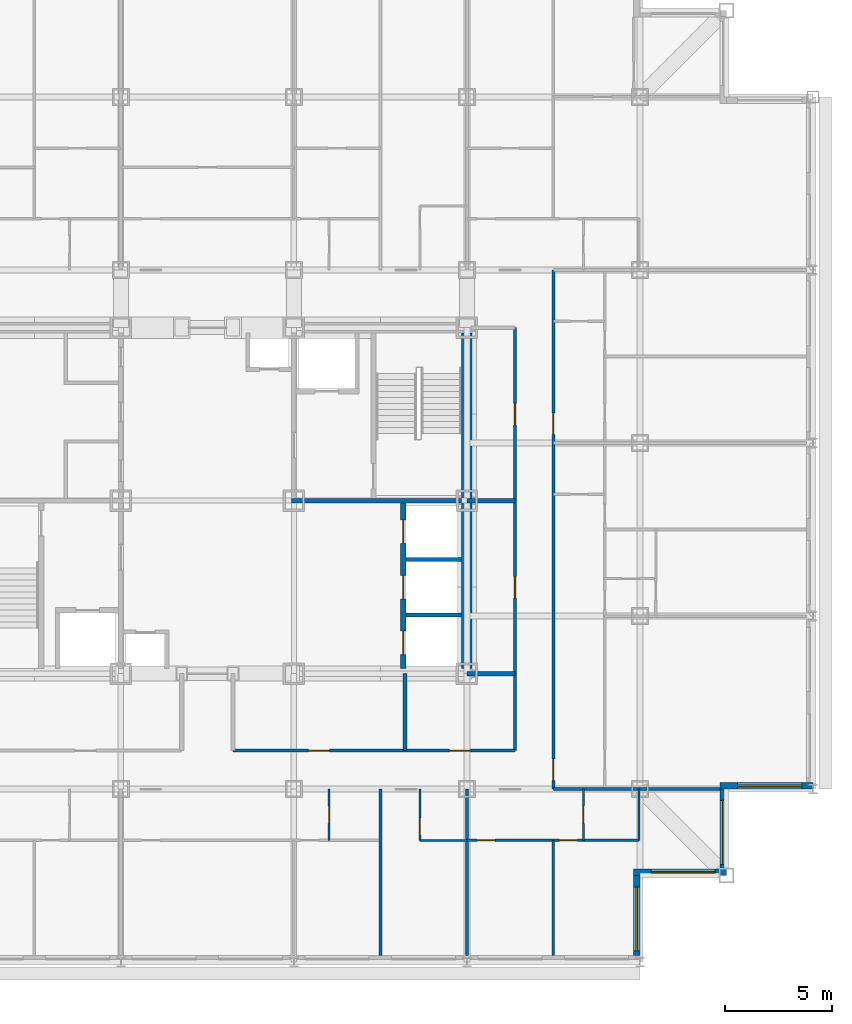
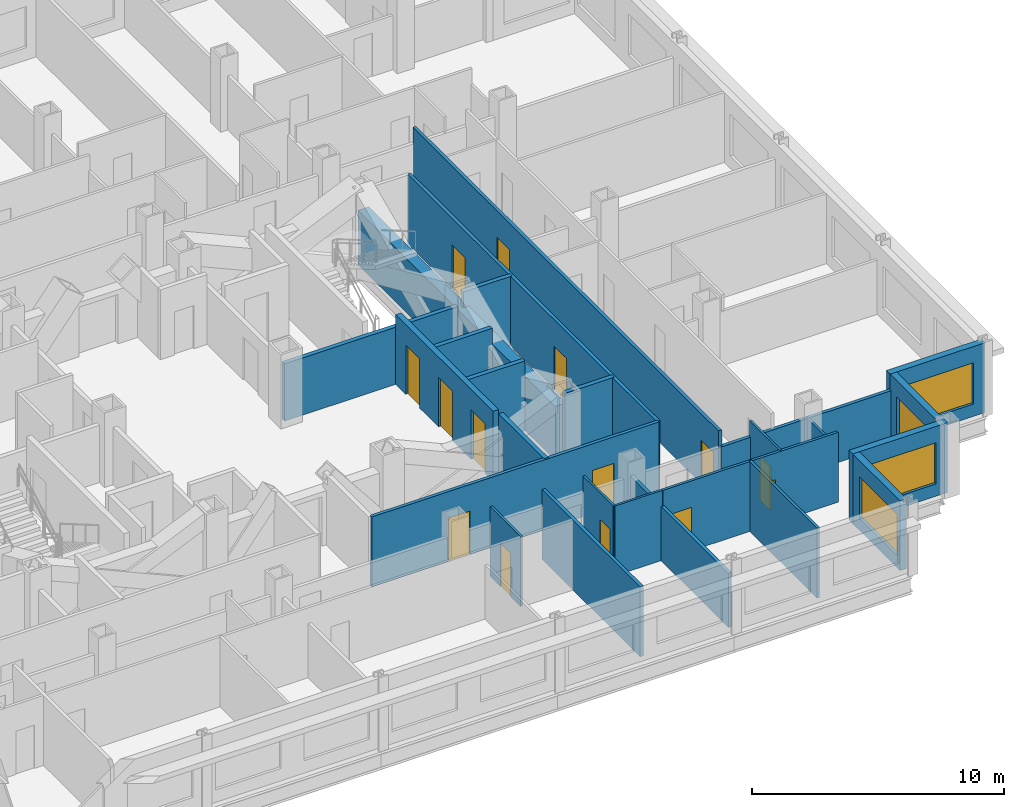
# One storey, part 7 of 12: 25 walls, 14 doors, 4 windows, 18 openings.
"""IFC4 building model written with IfcOpenShell, lengths in metres."""

from ifc_helpers import new_model, si_unit, direction, frame, frame_2d, origin, place, context, subcontext, project, spatial, rectangle, extrude, material, layer, layer_set, type_object, element, fill, save


model = new_model("IFC4")

# Units and contexts
model_context = context("Model", 3, precision=1e-05, world=origin(), true_north=direction((0.0, 1.0)))
body_context = subcontext(model_context, "Body", "Model", "MODEL_VIEW")
ifc_project = project(units=[si_unit("LENGTHUNIT", "METRE"), si_unit("AREAUNIT", "SQUARE_METRE"), si_unit("VOLUMEUNIT", "CUBIC_METRE"), si_unit("PLANEANGLEUNIT", "RADIAN"), si_unit("MASSUNIT", "GRAM", prefix="KILO")], contexts=[model_context])

# Site, building, storey
site_placement = place(None, origin())
site = spatial("IfcSite", under=ifc_project, at=site_placement, CompositionType="ELEMENT")
building_placement = place(site_placement, origin())
building = spatial("IfcBuilding", under=site, at=building_placement, Name="Kopane Lantern Tower", CompositionType="ELEMENT")
storey_placement = place(building_placement, frame((0.0, 0.0, 228.0)))
storey = spatial("IfcBuildingStorey", under=building, at=storey_placement, Name="L59", CompositionType="ELEMENT", Elevation=228.0)

# Wall, openings, doors
ifc_material_1 = material(Name="Gypsum board on steel studs", Category="steel")
ifc_layer_1 = layer(ifc_material_1, 0.1201171875)
ifc_layer_set_1 = layer_set([ifc_layer_1], Name="APARTMENT INTERNAL WALL 120")
wall_type_1 = type_object("IfcWallType", Name="APARTMENT INTERNAL WALL 120", PredefinedType="PARTITIONING", material=ifc_layer_set_1)
wall_1_placement = place(storey_placement, frame((40.5, 16.5, 0.0), z_axis=(0.0, 0.0, 1.0), x_axis=(1.0, 0.0, 0.0)))
wall_1 = element("IfcWall", 1, at=wall_1_placement, inside=storey, type_object=wall_type_1, Name="Apartment Internal Wall 120 L59", PredefinedType="PARTITIONING", context=body_context, shape_type="SweptSolid", body=[
    extrude(rectangle(XDim=8.050048828125, YDim=0.1201171875, at=frame_2d((4.02490234375, 0.0))), origin(), (0.0, 0.0, 1.0), 3.389892578125),
])
opening_1_placement = place(wall_1_placement, frame((0.47509765625, 0.0, 0.0)))
opening_1 = element("IfcOpeningElement", 2, at=opening_1_placement, cuts=wall_1, Name="Opening L59-055", PredefinedType="OPENING", context=body_context, shape_type="SweptSolid", body=[
    extrude(rectangle(XDim=0.85009765625, YDim=2.10009765625, at=frame_2d((0.425048828125, 1.050048828125))), frame((0.0, 0.070068359375, 0.0), z_axis=(0.0, -1.0, 0.0), x_axis=(1.0, 0.0, 0.0)), (0.0, 0.0, 1.0), 0.14013671875),
])
opening_2_placement = place(wall_1_placement, frame((4.324951171875, 0.0, 0.0)))
opening_2 = element("IfcOpeningElement", 3, at=opening_2_placement, cuts=wall_1, Name="Opening L59-057", PredefinedType="OPENING", context=body_context, shape_type="SweptSolid", body=[
    extrude(rectangle(XDim=0.85009765625, YDim=2.10009765625, at=frame_2d((0.425048828125, 1.050048828125))), frame((0.0, 0.070068359375, 0.0), z_axis=(0.0, -1.0, 0.0), x_axis=(1.0, 0.0, 0.0)), (0.0, 0.0, 1.0), 0.14013671875),
])
ifc_material_2 = material(Name="Timber door set", Category="wood")
door_type_1 = type_object("IfcDoorType", Name="DOOR D4 850x2100", OperationType="SINGLE_SWING_LEFT", PredefinedType="DOOR", material=ifc_material_2)
door_1_placement = place(opening_1_placement, origin())
door_1 = element("IfcDoor", 4, at=door_1_placement, inside=storey, type_object=door_type_1, Name="Door L59-055", OperationType="SINGLE_SWING_LEFT", OverallHeight=2.10009765625, OverallWidth=0.85009765625, PredefinedType="DOOR", context=body_context, shape_type="SweptSolid", body=[
    extrude(rectangle(XDim=0.85009765625, YDim=2.10009765625, at=frame_2d((0.425048828125, 1.050048828125))), frame((0.0, 0.02490234375, 0.0), z_axis=(0.0, -1.0, 0.0), x_axis=(1.0, 0.0, 0.0)), (0.0, 0.0, 1.0), 0.050048828125),
])
fill(opening_1, door_1)
door_2_placement = place(opening_2_placement, origin())
door_2 = element("IfcDoor", 5, at=door_2_placement, inside=storey, type_object=door_type_1, Name="Door L59-057", OperationType="SINGLE_SWING_RIGHT", OverallHeight=2.10009765625, OverallWidth=0.85009765625, PredefinedType="DOOR", context=body_context, shape_type="SweptSolid", body=[
    extrude(rectangle(XDim=0.85009765625, YDim=2.10009765625, at=frame_2d((0.425048828125, 1.050048828125))), frame((0.0, 0.02490234375, 0.0), z_axis=(0.0, -1.0, 0.0), x_axis=(1.0, 0.0, 0.0)), (0.0, 0.0, 1.0), 0.050048828125),
])
fill(opening_2, door_2)

# Wall
wall_2_placement = place(storey_placement, frame((44.550048828125, 16.5, 0.0), z_axis=(0.0, 0.0, 1.0), x_axis=(0.0, -1.0, 0.0)))
element("IfcWall", 6, at=wall_2_placement, inside=storey, type_object=wall_type_1, Name="Apartment Internal Wall 120 L59", PredefinedType="PARTITIONING", context=body_context, shape_type="SweptSolid", body=[
    extrude(rectangle(XDim=5.39990234375, YDim=0.1201171875, at=frame_2d((2.699951171875, 0.0))), origin(), (0.0, 0.0, 1.0), 3.389892578125),
])

# Wall, opening, door
ifc_material_3 = material(Name="Moisture-resistant board on steel studs", Category="steel")
ifc_layer_2 = layer(ifc_material_3, 0.10009765625)
ifc_layer_set_2 = layer_set([ifc_layer_2], Name="BATHROOM WALL 100")
wall_type_2 = type_object("IfcWallType", Name="BATHROOM WALL 100", PredefinedType="PARTITIONING", material=ifc_layer_set_2)
wall_3_placement = place(storey_placement, frame((34.050048828125, 18.89990234375, 0.0), z_axis=(0.0, 0.0, 1.0), x_axis=(0.0, -1.0, 0.0)))
wall_3 = element("IfcWall", 7, at=wall_3_placement, inside=storey, type_object=wall_type_2, Name="Bathroom Wall 100 L59", PredefinedType="PARTITIONING", context=body_context, shape_type="SweptSolid", body=[
    extrude(rectangle(XDim=2.39990234375, YDim=0.10009765625, at=frame_2d((1.199951171875, 0.0))), origin(), (0.0, 0.0, 1.0), 3.389892578125),
])
opening_3_placement = place(wall_3_placement, frame((0.800048828125, 0.0, 0.0)))
opening_3 = element("IfcOpeningElement", 8, at=opening_3_placement, cuts=wall_3, Name="Opening L59-016", PredefinedType="OPENING", context=body_context, shape_type="SweptSolid", body=[
    extrude(rectangle(XDim=0.800048828125, YDim=2.10009765625, at=frame_2d((0.39990234375, 1.050048828125))), frame((0.0, 0.06005859375, 0.0), z_axis=(0.0, -1.0, 0.0), x_axis=(1.0, 0.0, 0.0)), (0.0, 0.0, 1.0), 0.1201171875),
])
ifc_material_4 = material(Name="Timber door set", Category="wood")
door_type_2 = type_object("IfcDoorType", Name="DOOR D2 800x2100", OperationType="SINGLE_SWING_LEFT", PredefinedType="DOOR", material=ifc_material_4)
door_3_placement = place(opening_3_placement, origin())
door_3 = element("IfcDoor", 9, at=door_3_placement, inside=storey, type_object=door_type_2, Name="Door L59-016", OperationType="SINGLE_SWING_LEFT", OverallHeight=2.10009765625, OverallWidth=0.800048828125, PredefinedType="DOOR", context=body_context, shape_type="SweptSolid", body=[
    extrude(rectangle(XDim=0.800048828125, YDim=2.10009765625, at=frame_2d((0.39990234375, 1.050048828125))), frame((0.0, 0.02490234375, 0.0), z_axis=(0.0, -1.0, 0.0), x_axis=(1.0, 0.0, 0.0)), (0.0, 0.0, 1.0), 0.050048828125),
])
fill(opening_3, door_3)

# Wall
wall_4_placement = place(storey_placement, frame((38.300048828125, 16.5, 0.0), z_axis=(0.0, 0.0, 1.0), x_axis=(1.0, 0.0, 0.0)))
element("IfcWall", 10, at=wall_4_placement, inside=storey, type_object=wall_type_2, Name="Bathroom Wall 100 L59", PredefinedType="PARTITIONING", context=body_context, shape_type="SweptSolid", body=[
    extrude(rectangle(XDim=2.199951171875, YDim=0.10009765625, at=frame_2d((1.10009765625, 0.0))), origin(), (0.0, 0.0, 1.0), 3.389892578125),
])

# Wall, opening, door
wall_5_placement = place(storey_placement, frame((38.300048828125, 18.89990234375, 0.0), z_axis=(0.0, 0.0, 1.0), x_axis=(0.0, -1.0, 0.0)))
wall_5 = element("IfcWall", 11, at=wall_5_placement, inside=storey, type_object=wall_type_2, Name="Bathroom Wall 100 L59", PredefinedType="PARTITIONING", context=body_context, shape_type="SweptSolid", body=[
    extrude(rectangle(XDim=2.39990234375, YDim=0.10009765625, at=frame_2d((1.199951171875, 0.0))), origin(), (0.0, 0.0, 1.0), 3.389892578125),
])
opening_4_placement = place(wall_5_placement, frame((1.35009765625, 0.0, 0.0)))
opening_4 = element("IfcOpeningElement", 12, at=opening_4_placement, cuts=wall_5, Name="Opening L59-020", PredefinedType="OPENING", context=body_context, shape_type="SweptSolid", body=[
    extrude(rectangle(XDim=0.800048828125, YDim=2.10009765625, at=frame_2d((0.39990234375, 1.050048828125))), frame((0.0, 0.06005859375, 0.0), z_axis=(0.0, -1.0, 0.0), x_axis=(1.0, 0.0, 0.0)), (0.0, 0.0, 1.0), 0.1201171875),
])
door_4_placement = place(opening_4_placement, origin())
door_4 = element("IfcDoor", 13, at=door_4_placement, inside=storey, type_object=door_type_2, Name="Door L59-020", OperationType="SINGLE_SWING_RIGHT", OverallHeight=2.10009765625, OverallWidth=0.800048828125, PredefinedType="DOOR", context=body_context, shape_type="SweptSolid", body=[
    extrude(rectangle(XDim=0.800048828125, YDim=2.10009765625, at=frame_2d((0.39990234375, 1.050048828125))), frame((0.0, 0.02490234375, 0.0), z_axis=(0.0, -1.0, 0.0), x_axis=(1.0, 0.0, 0.0)), (0.0, 0.0, 1.0), 0.050048828125),
])
fill(opening_4, door_4)

wall_6_placement = place(storey_placement, frame((45.949951171875, 18.89990234375, 0.0), z_axis=(0.0, 0.0, 1.0), x_axis=(0.0, -1.0, 0.0)))
wall_6 = element("IfcWall", 14, at=wall_6_placement, inside=storey, type_object=wall_type_2, Name="Bathroom Wall 100 L59", PredefinedType="PARTITIONING", context=body_context, shape_type="SweptSolid", body=[
    extrude(rectangle(XDim=2.39990234375, YDim=0.10009765625, at=frame_2d((1.199951171875, 0.0))), origin(), (0.0, 0.0, 1.0), 3.389892578125),
])
opening_5_placement = place(wall_6_placement, frame((0.800048828125, 0.0, 0.0)))
opening_5 = element("IfcOpeningElement", 15, at=opening_5_placement, cuts=wall_6, Name="Opening L59-056", PredefinedType="OPENING", context=body_context, shape_type="SweptSolid", body=[
    extrude(rectangle(XDim=0.800048828125, YDim=2.10009765625, at=frame_2d((0.39990234375, 1.050048828125))), frame((0.0, 0.06005859375, 0.0), z_axis=(0.0, -1.0, 0.0), x_axis=(1.0, 0.0, 0.0)), (0.0, 0.0, 1.0), 0.1201171875),
])
door_5_placement = place(opening_5_placement, origin())
door_5 = element("IfcDoor", 16, at=door_5_placement, inside=storey, type_object=door_type_2, Name="Door L59-056", OperationType="SINGLE_SWING_LEFT", OverallHeight=2.10009765625, OverallWidth=0.800048828125, PredefinedType="DOOR", context=body_context, shape_type="SweptSolid", body=[
    extrude(rectangle(XDim=0.800048828125, YDim=2.10009765625, at=frame_2d((0.39990234375, 1.050048828125))), frame((0.0, 0.02490234375, 0.0), z_axis=(0.0, -1.0, 0.0), x_axis=(1.0, 0.0, 0.0)), (0.0, 0.0, 1.0), 0.050048828125),
])
fill(opening_5, door_5)

# Walls
wall_7_placement = place(storey_placement, frame((48.550048828125, 18.89990234375, 0.0), z_axis=(0.0, 0.0, 1.0), x_axis=(0.0, -1.0, 0.0)))
element("IfcWall", 17, at=wall_7_placement, inside=storey, type_object=wall_type_2, Name="Bathroom Wall 100 L59", PredefinedType="PARTITIONING", context=body_context, shape_type="SweptSolid", body=[
    extrude(rectangle(XDim=2.39990234375, YDim=0.10009765625, at=frame_2d((1.199951171875, 0.0))), origin(), (0.0, 0.0, 1.0), 2.627685546875),
])
ifc_material_5 = material(Name="Gypsum shaft wall EI 120", Category="gypsum")
ifc_layer_3 = layer(ifc_material_5, 0.5)
ifc_layer_set_3 = layer_set([ifc_layer_3], Name="CORE PERIMETER WALL 500 EI 120")
wall_type_3 = type_object("IfcWallType", Name="CORE PERIMETER WALL 500 EI 120", PredefinedType="SOLIDWALL", material=ifc_layer_set_3)
wall_8_placement = place(storey_placement, frame((40.5, 24.550048828125, 0.0), z_axis=(0.0, 0.0, 1.0), x_axis=(0.0, 1.0, 0.0)))
element("IfcWall", 18, at=wall_8_placement, inside=storey, type_object=wall_type_3, Name="Core shaft wall L59 PE", PredefinedType="SOLIDWALL", context=body_context, shape_type="SweptSolid", body=[
    extrude(rectangle(XDim=15.699951171875, YDim=0.5, at=frame_2d((7.85009765625, 0.0))), origin(), (0.0, 0.0, 1.0), 2.627685546875),
])

# Wall, openings, doors
ifc_material_6 = material(Name="Gypsum shaft wall EI 120", Category="gypsum")
ifc_layer_4 = layer(ifc_material_6, 0.25)
ifc_layer_set_4 = layer_set([ifc_layer_4], Name="CORE SHAFT WALL 250 EI 120")
wall_type_4 = type_object("IfcWallType", Name="CORE SHAFT WALL 250 EI 120", PredefinedType="SOLIDWALL", material=ifc_layer_set_4)
wall_9_placement = place(storey_placement, frame((37.52490234375, 24.550048828125, 0.0), z_axis=(0.0, 0.0, 1.0), x_axis=(0.0, 1.0, 0.0)))
wall_9 = element("IfcWall", 19, at=wall_9_placement, inside=storey, type_object=wall_type_4, Name="Core shaft wall L59 XLR", PredefinedType="SOLIDWALL", context=body_context, shape_type="SweptSolid", body=[
    extrude(rectangle(XDim=7.75, YDim=0.25, at=frame_2d((3.875, 0.0))), origin(), (0.0, 0.0, 1.0), 3.389892578125),
])
opening_6_placement = place(wall_9_placement, frame((0.64990234375, 0.0, 0.0)))
opening_6 = element("IfcOpeningElement", 20, at=opening_6_placement, cuts=wall_9, Name="Opening 59.LD-LR1", PredefinedType="OPENING", context=body_context, shape_type="SweptSolid", body=[
    extrude(rectangle(XDim=1.10009765625, YDim=2.39990234375, at=frame_2d((0.550048828125, 1.199951171875))), frame((0.0, 0.135009765625, 0.0), z_axis=(0.0, -1.0, 0.0), x_axis=(1.0, 0.0, 0.0)), (0.0, 0.0, 1.0), 0.27001953125),
])
opening_7_placement = place(wall_9_placement, frame((3.25, 0.0, 0.0)))
opening_7 = element("IfcOpeningElement", 21, at=opening_7_placement, cuts=wall_9, Name="Opening 59.LD-LR2", PredefinedType="OPENING", context=body_context, shape_type="SweptSolid", body=[
    extrude(rectangle(XDim=1.10009765625, YDim=2.39990234375, at=frame_2d((0.550048828125, 1.199951171875))), frame((0.0, 0.135009765625, 0.0), z_axis=(0.0, -1.0, 0.0), x_axis=(1.0, 0.0, 0.0)), (0.0, 0.0, 1.0), 0.27001953125),
])
opening_8_placement = place(wall_9_placement, frame((5.85009765625, 0.0, 0.0)))
opening_8 = element("IfcOpeningElement", 22, at=opening_8_placement, cuts=wall_9, Name="Opening 59.LD-LR3", PredefinedType="OPENING", context=body_context, shape_type="SweptSolid", body=[
    extrude(rectangle(XDim=1.10009765625, YDim=2.39990234375, at=frame_2d((0.550048828125, 1.199951171875))), frame((0.0, 0.135009765625, 0.0), z_axis=(0.0, -1.0, 0.0), x_axis=(1.0, 0.0, 0.0)), (0.0, 0.0, 1.0), 0.27001953125),
])
ifc_material_7 = material(Name="Steel door set", Category="steel")
door_type_3 = type_object("IfcDoorType", Name="LIFT LANDING DOOR 1100x2400 FD60", OperationType="DOUBLE_DOOR_SLIDING", PredefinedType="DOOR", material=ifc_material_7)
door_6_placement = place(opening_6_placement, origin())
door_6 = element("IfcDoor", 23, at=door_6_placement, inside=storey, type_object=door_type_3, Name="Landing door LR1 L59", OperationType="DOUBLE_DOOR_SLIDING", OverallHeight=2.39990234375, OverallWidth=1.10009765625, PredefinedType="DOOR", context=body_context, shape_type="SweptSolid", body=[
    extrude(rectangle(XDim=1.10009765625, YDim=2.39990234375, at=frame_2d((0.550048828125, 1.199951171875))), frame((0.0, 0.02490234375, 0.0), z_axis=(0.0, -1.0, 0.0), x_axis=(1.0, 0.0, 0.0)), (0.0, 0.0, 1.0), 0.050048828125),
])
fill(opening_6, door_6)
door_7_placement = place(opening_7_placement, origin())
door_7 = element("IfcDoor", 24, at=door_7_placement, inside=storey, type_object=door_type_3, Name="Landing door LR2 L59", OperationType="DOUBLE_DOOR_SLIDING", OverallHeight=2.39990234375, OverallWidth=1.10009765625, PredefinedType="DOOR", context=body_context, shape_type="SweptSolid", body=[
    extrude(rectangle(XDim=1.10009765625, YDim=2.39990234375, at=frame_2d((0.550048828125, 1.199951171875))), frame((0.0, 0.02490234375, 0.0), z_axis=(0.0, -1.0, 0.0), x_axis=(1.0, 0.0, 0.0)), (0.0, 0.0, 1.0), 0.050048828125),
])
fill(opening_7, door_7)
door_8_placement = place(opening_8_placement, origin())
door_8 = element("IfcDoor", 25, at=door_8_placement, inside=storey, type_object=door_type_3, Name="Landing door LR3 L59", OperationType="DOUBLE_DOOR_SLIDING", OverallHeight=2.39990234375, OverallWidth=1.10009765625, PredefinedType="DOOR", context=body_context, shape_type="SweptSolid", body=[
    extrude(rectangle(XDim=1.10009765625, YDim=2.39990234375, at=frame_2d((0.550048828125, 1.199951171875))), frame((0.0, 0.02490234375, 0.0), z_axis=(0.0, -1.0, 0.0), x_axis=(1.0, 0.0, 0.0)), (0.0, 0.0, 1.0), 0.050048828125),
])
fill(opening_8, door_8)

ifc_material_8 = material(Name="Gypsum board on steel studs", Category="steel")
ifc_layer_5 = layer(ifc_material_8, 0.14990234375)
ifc_layer_set_5 = layer_set([ifc_layer_5], Name="CORRIDOR WALL 150 EI 60")
wall_type_5 = type_object("IfcWallType", Name="CORRIDOR WALL 150 EI 60", PredefinedType="PARTITIONING", material=ifc_layer_set_5)
wall_10_placement = place(storey_placement, frame((44.550048828125, 18.89990234375, 0.0), z_axis=(0.0, 0.0, 1.0), x_axis=(0.0, 1.0, 0.0)))
wall_10 = element("IfcWall", 26, at=wall_10_placement, inside=storey, type_object=wall_type_5, Name="Corridor Wall 150 Ei 60 L59", PredefinedType="PARTITIONING", context=body_context, shape_type="SweptSolid", body=[
    extrude(rectangle(XDim=24.300048828125, YDim=0.14990234375, at=frame_2d((12.14990234375, 0.0))), origin(), (0.0, 0.0, 1.0), 3.389892578125),
])
opening_9_placement = place(wall_10_placement, frame((0.39990234375, 0.0, 0.0)))
opening_9 = element("IfcOpeningElement", 27, at=opening_9_placement, cuts=wall_10, Name="Opening L59-042", PredefinedType="OPENING", context=body_context, shape_type="SweptSolid", body=[
    extrude(rectangle(XDim=1.0, YDim=2.10009765625, at=frame_2d((0.5, 1.050048828125))), frame((0.0, 0.0849609375, 0.0), z_axis=(0.0, -1.0, 0.0), x_axis=(1.0, 0.0, 0.0)), (0.0, 0.0, 1.0), 0.169921875),
])
opening_10_placement = place(wall_10_placement, frame((16.60009765625, 0.0, 0.0)))
opening_10 = element("IfcOpeningElement", 28, at=opening_10_placement, cuts=wall_10, Name="Opening L59-048", PredefinedType="OPENING", context=body_context, shape_type="SweptSolid", body=[
    extrude(rectangle(XDim=1.0, YDim=2.10009765625, at=frame_2d((0.5, 1.050048828125))), frame((0.0, 0.0849609375, 0.0), z_axis=(0.0, -1.0, 0.0), x_axis=(1.0, 0.0, 0.0)), (0.0, 0.0, 1.0), 0.169921875),
])
ifc_material_9 = material(Name="Steel door set", Category="steel")
door_type_4 = type_object("IfcDoorType", Name="DOOR D3 1000x2100 FD30S", OperationType="SINGLE_SWING_LEFT", PredefinedType="DOOR", material=ifc_material_9)
door_9_placement = place(opening_9_placement, origin())
door_9 = element("IfcDoor", 29, at=door_9_placement, inside=storey, type_object=door_type_4, Name="Door L59-042", OperationType="SINGLE_SWING_RIGHT", OverallHeight=2.10009765625, OverallWidth=1.0, PredefinedType="DOOR", context=body_context, shape_type="SweptSolid", body=[
    extrude(rectangle(XDim=1.0, YDim=2.10009765625, at=frame_2d((0.5, 1.050048828125))), frame((0.0, 0.02490234375, 0.0), z_axis=(0.0, -1.0, 0.0), x_axis=(1.0, 0.0, 0.0)), (0.0, 0.0, 1.0), 0.050048828125),
])
fill(opening_9, door_9)
door_10_placement = place(opening_10_placement, origin())
door_10 = element("IfcDoor", 30, at=door_10_placement, inside=storey, type_object=door_type_4, Name="Door L59-048", OperationType="SINGLE_SWING_RIGHT", OverallHeight=2.10009765625, OverallWidth=1.0, PredefinedType="DOOR", context=body_context, shape_type="SweptSolid", body=[
    extrude(rectangle(XDim=1.0, YDim=2.10009765625, at=frame_2d((0.5, 1.050048828125))), frame((0.0, 0.02490234375, 0.0), z_axis=(0.0, -1.0, 0.0), x_axis=(1.0, 0.0, 0.0)), (0.0, 0.0, 1.0), 0.050048828125),
])
fill(opening_10, door_10)

wall_11_placement = place(storey_placement, frame((42.75, 20.699951171875, 0.0), z_axis=(0.0, 0.0, 1.0), x_axis=(0.0, 1.0, 0.0)))
wall_11 = element("IfcWall", 31, at=wall_11_placement, inside=storey, type_object=wall_type_5, Name="Corridor Wall 150 Ei 60 L59", PredefinedType="PARTITIONING", context=body_context, shape_type="SweptSolid", body=[
    extrude(rectangle(XDim=19.800048828125, YDim=0.14990234375, at=frame_2d((9.89990234375, 0.0))), origin(), (0.0, 0.0, 1.0), 3.389892578125),
])
opening_11_placement = place(wall_11_placement, frame((7.14990234375, 0.0, 0.0)))
opening_11 = element("IfcOpeningElement", 32, at=opening_11_placement, cuts=wall_11, Name="Opening L59-005", PredefinedType="OPENING", context=body_context, shape_type="SweptSolid", body=[
    extrude(rectangle(XDim=1.0, YDim=2.10009765625, at=frame_2d((0.5, 1.050048828125))), frame((0.0, 0.0849609375, 0.0), z_axis=(0.0, -1.0, 0.0), x_axis=(1.0, 0.0, 0.0)), (0.0, 0.0, 1.0), 0.169921875),
])
opening_12_placement = place(wall_11_placement, frame((15.25, 0.0, 0.0)))
opening_12 = element("IfcOpeningElement", 33, at=opening_12_placement, cuts=wall_11, Name="Opening L59-006", PredefinedType="OPENING", context=body_context, shape_type="SweptSolid", body=[
    extrude(rectangle(XDim=1.0, YDim=2.10009765625, at=frame_2d((0.5, 1.050048828125))), frame((0.0, 0.0849609375, 0.0), z_axis=(0.0, -1.0, 0.0), x_axis=(1.0, 0.0, 0.0)), (0.0, 0.0, 1.0), 0.169921875),
])
ifc_material_10 = material(Name="Steel door set", Category="steel")
door_type_5 = type_object("IfcDoorType", Name="DOOR D5 1000x2100 FD60", OperationType="SINGLE_SWING_LEFT", PredefinedType="DOOR", material=ifc_material_10)
door_11_placement = place(opening_11_placement, origin())
door_11 = element("IfcDoor", 34, at=door_11_placement, inside=storey, type_object=door_type_5, Name="Door L59-005", OperationType="SINGLE_SWING_LEFT", OverallHeight=2.10009765625, OverallWidth=1.0, PredefinedType="DOOR", context=body_context, shape_type="SweptSolid", body=[
    extrude(rectangle(XDim=1.0, YDim=2.10009765625, at=frame_2d((0.5, 1.050048828125))), frame((0.0, 0.02490234375, 0.0), z_axis=(0.0, -1.0, 0.0), x_axis=(1.0, 0.0, 0.0)), (0.0, 0.0, 1.0), 0.050048828125),
])
fill(opening_11, door_11)
door_12_placement = place(opening_12_placement, origin())
door_12 = element("IfcDoor", 35, at=door_12_placement, inside=storey, type_object=door_type_5, Name="Door L59-006", OperationType="SINGLE_SWING_RIGHT", OverallHeight=2.10009765625, OverallWidth=1.0, PredefinedType="DOOR", context=body_context, shape_type="SweptSolid", body=[
    extrude(rectangle(XDim=1.0, YDim=2.10009765625, at=frame_2d((0.5, 1.050048828125))), frame((0.0, 0.02490234375, 0.0), z_axis=(0.0, -1.0, 0.0), x_axis=(1.0, 0.0, 0.0)), (0.0, 0.0, 1.0), 0.050048828125),
])
fill(opening_12, door_12)

wall_12_placement = place(storey_placement, frame((29.56005859375, 20.699951171875, 0.0), z_axis=(0.0, 0.0, 1.0), x_axis=(1.0, 0.0, 0.0)))
wall_12 = element("IfcWall", 36, at=wall_12_placement, inside=storey, type_object=wall_type_5, Name="Corridor Wall 150 Ei 60 L59", PredefinedType="PARTITIONING", context=body_context, shape_type="SweptSolid", body=[
    extrude(rectangle(XDim=13.18994140625, YDim=0.14990234375, at=frame_2d((6.594970703125, 0.0))), origin(), (0.0, 0.0, 1.0), 3.389892578125),
])
opening_13_placement = place(wall_12_placement, frame((3.517822265625, 0.0, 0.0)))
opening_13 = element("IfcOpeningElement", 37, at=opening_13_placement, cuts=wall_12, Name="Opening L59-010", PredefinedType="OPENING", context=body_context, shape_type="SweptSolid", body=[
    extrude(rectangle(XDim=1.0, YDim=2.10009765625, at=frame_2d((0.5, 1.050048828125))), frame((0.0, 0.0849609375, 0.0), z_axis=(0.0, -1.0, 0.0), x_axis=(1.0, 0.0, 0.0)), (0.0, 0.0, 1.0), 0.169921875),
])
opening_14_placement = place(wall_12_placement, frame((10.117919921875, 0.0, 0.0)))
opening_14 = element("IfcOpeningElement", 38, at=opening_14_placement, cuts=wall_12, Name="Opening L59-011", PredefinedType="OPENING", context=body_context, shape_type="SweptSolid", body=[
    extrude(rectangle(XDim=1.0, YDim=2.10009765625, at=frame_2d((0.5, 1.050048828125))), frame((0.0, 0.0849609375, 0.0), z_axis=(0.0, -1.0, 0.0), x_axis=(1.0, 0.0, 0.0)), (0.0, 0.0, 1.0), 0.169921875),
])
door_13_placement = place(opening_13_placement, origin())
door_13 = element("IfcDoor", 39, at=door_13_placement, inside=storey, type_object=door_type_5, Name="Door L59-010", OperationType="SINGLE_SWING_LEFT", OverallHeight=2.10009765625, OverallWidth=1.0, PredefinedType="DOOR", context=body_context, shape_type="SweptSolid", body=[
    extrude(rectangle(XDim=1.0, YDim=2.10009765625, at=frame_2d((0.5, 1.050048828125))), frame((0.0, 0.02490234375, 0.0), z_axis=(0.0, -1.0, 0.0), x_axis=(1.0, 0.0, 0.0)), (0.0, 0.0, 1.0), 0.050048828125),
])
fill(opening_13, door_13)
door_14_placement = place(opening_14_placement, origin())
door_14 = element("IfcDoor", 40, at=door_14_placement, inside=storey, type_object=door_type_5, Name="Door L59-011", OperationType="SINGLE_SWING_RIGHT", OverallHeight=2.10009765625, OverallWidth=1.0, PredefinedType="DOOR", context=body_context, shape_type="SweptSolid", body=[
    extrude(rectangle(XDim=1.0, YDim=2.10009765625, at=frame_2d((0.5, 1.050048828125))), frame((0.0, 0.02490234375, 0.0), z_axis=(0.0, -1.0, 0.0), x_axis=(1.0, 0.0, 0.0)), (0.0, 0.0, 1.0), 0.050048828125),
])
fill(opening_14, door_14)

# Walls
ifc_material_11 = material(Name="Gypsum board on steel studs", Category="steel")
ifc_layer_6 = layer(ifc_material_11, 0.14990234375)
ifc_layer_set_6 = layer_set([ifc_layer_6], Name="DEMISING WALL 150 EI 60")
wall_type_6 = type_object("IfcWallType", Name="DEMISING WALL 150 EI 60", PredefinedType="PARTITIONING", material=ifc_layer_set_6)
wall_13_placement = place(storey_placement, frame((36.449951171875, 18.89990234375, 0.0), z_axis=(0.0, 0.0, 1.0), x_axis=(0.0, -1.0, 0.0)))
element("IfcWall", 41, at=wall_13_placement, inside=storey, type_object=wall_type_6, Name="Demising Wall 150 Ei 60 L59", PredefinedType="PARTITIONING", context=body_context, shape_type="SweptSolid", body=[
    extrude(rectangle(XDim=7.7998046875, YDim=0.14990234375, at=frame_2d((3.89990234375, 0.0))), origin(), (0.0, 0.0, 1.0), 3.389892578125),
])
wall_14_placement = place(storey_placement, frame((44.550048828125, 18.89990234375, 0.0), z_axis=(0.0, 0.0, 1.0), x_axis=(1.0, 0.0, 0.0)))
element("IfcWall", 42, at=wall_14_placement, inside=storey, type_object=wall_type_6, Name="Demising Wall 150 Ei 60 L59", PredefinedType="PARTITIONING", context=body_context, shape_type="SweptSolid", body=[
    extrude(rectangle(XDim=7.800048828125, YDim=0.14990234375, at=frame_2d((3.89990234375, 0.0))), origin(), (0.0, 0.0, 1.0), 2.627685546875),
])
wall_15_placement = place(storey_placement, frame((40.5, 18.89990234375, 0.0), z_axis=(0.0, 0.0, 1.0), x_axis=(0.0, -1.0, 0.0)))
element("IfcWall", 43, at=wall_15_placement, inside=storey, type_object=wall_type_6, Name="Demising Wall 150 Ei 60 L59", PredefinedType="PARTITIONING", context=body_context, shape_type="SweptSolid", body=[
    extrude(rectangle(XDim=7.7998046875, YDim=0.14990234375, at=frame_2d((3.89990234375, 0.0))), origin(), (0.0, 0.0, 1.0), 2.627685546875),
])

# Wall, opening, window
ifc_material_12 = material(Name="Terracotta rainscreen on light steel framing", Category="masonry")
ifc_layer_7 = layer(ifc_material_12, 0.300048828125)
ifc_layer_set_7 = layer_set([ifc_layer_7], Name="EXTERNAL WALL EW1 300 TERRACOTTA")
wall_type_7 = type_object("IfcWallType", Name="EXTERNAL WALL EW1 300 TERRACOTTA", PredefinedType="SOLIDWALL", material=ifc_layer_set_7)
wall_16_placement = place(storey_placement, frame((48.449951171875, 11.10009765625, 0.0), z_axis=(0.0, 0.0, 1.0), x_axis=(0.0, 1.0, 0.0)))
wall_16 = element("IfcWall", 44, at=wall_16_placement, inside=storey, type_object=wall_type_7, Name="External wall E L59", PredefinedType="SOLIDWALL", context=body_context, shape_type="SweptSolid", body=[
    extrude(rectangle(XDim=3.75, YDim=0.300048828125, at=frame_2d((1.875, 0.0))), origin(), (0.0, 0.0, 1.0), 3.389892578125),
])
opening_15_placement = place(wall_16_placement, frame((0.22509765625, 0.0, 0.60009765625)))
opening_15 = element("IfcOpeningElement", 45, at=opening_15_placement, cuts=wall_16, Name="Opening WR300200", PredefinedType="OPENING", context=body_context, shape_type="SweptSolid", body=[
    extrude(rectangle(XDim=3.0, YDim=2.0, at=frame_2d((1.5, 1.0))), frame((0.0, 0.159912109375, 0.0), z_axis=(0.0, -1.0, 0.0), x_axis=(1.0, 0.0, 0.0)), (0.0, 0.0, 1.0), 0.320068359375),
])
ifc_material_13 = material(Name="Aluminium and clear glass", Category="aluminium")
window_type = type_object("IfcWindowType", Name="RIBBON WINDOW WR300200 3000x2000", PartitioningType="SINGLE_PANEL", PredefinedType="WINDOW", material=ifc_material_13)
window_1_placement = place(opening_15_placement, origin())
window_1 = element("IfcWindow", 46, at=window_1_placement, inside=storey, type_object=window_type, Name="Window E L59", OverallHeight=2.0, OverallWidth=3.0, PartitioningType="SINGLE_PANEL", PredefinedType="WINDOW", context=body_context, shape_type="SweptSolid", body=[
    extrude(rectangle(XDim=3.0, YDim=2.0, at=frame_2d((1.5, 1.0))), frame((0.0, 0.030029296875, 0.0), z_axis=(0.0, -1.0, 0.0), x_axis=(1.0, 0.0, 0.0)), (0.0, 0.0, 1.0), 0.06005859375),
])
fill(opening_15, window_1)

wall_17_placement = place(storey_placement, frame((48.300048828125, 15.0, 0.0), z_axis=(0.0, 0.0, 1.0), x_axis=(1.0, 0.0, 0.0)))
wall_17 = element("IfcWall", 47, at=wall_17_placement, inside=storey, type_object=wall_type_7, Name="External wall S L59", PredefinedType="SOLIDWALL", context=body_context, shape_type="SweptSolid", body=[
    extrude(rectangle(XDim=4.349853515625, YDim=0.300048828125, at=frame_2d((2.1748046875, 0.0))), origin(), (0.0, 0.0, 1.0), 3.389892578125),
])
opening_16_placement = place(wall_17_placement, frame((0.824951171875, 0.0, 0.60009765625)))
opening_16 = element("IfcOpeningElement", 48, at=opening_16_placement, cuts=wall_17, Name="Opening WR300200", PredefinedType="OPENING", context=body_context, shape_type="SweptSolid", body=[
    extrude(rectangle(XDim=3.0, YDim=2.0, at=frame_2d((1.5, 1.0))), frame((0.0, 0.159912109375, 0.0), z_axis=(0.0, -1.0, 0.0), x_axis=(1.0, 0.0, 0.0)), (0.0, 0.0, 1.0), 0.320068359375),
])
window_2_placement = place(opening_16_placement, origin())
window_2 = element("IfcWindow", 49, at=window_2_placement, inside=storey, type_object=window_type, Name="Window S L59", OverallHeight=2.0, OverallWidth=3.0, PartitioningType="SINGLE_PANEL", PredefinedType="WINDOW", context=body_context, shape_type="SweptSolid", body=[
    extrude(rectangle(XDim=3.0, YDim=2.0, at=frame_2d((1.5, 1.0))), frame((0.0, 0.030029296875, 0.0), z_axis=(0.0, -1.0, 0.0), x_axis=(1.0, 0.0, 0.0)), (0.0, 0.0, 1.0), 0.06005859375),
])
fill(opening_16, window_2)

wall_18_placement = place(storey_placement, frame((52.5, 15.14990234375, 0.0), z_axis=(0.0, 0.0, 1.0), x_axis=(0.0, 1.0, 0.0)))
wall_18 = element("IfcWall", 50, at=wall_18_placement, inside=storey, type_object=wall_type_7, Name="External wall E L59", PredefinedType="SOLIDWALL", context=body_context, shape_type="SweptSolid", body=[
    extrude(rectangle(XDim=3.75, YDim=0.300048828125, at=frame_2d((1.875, 0.0))), origin(), (0.0, 0.0, 1.0), 3.389892578125),
])
opening_17_placement = place(wall_18_placement, frame((0.22509765625, 0.0, 0.60009765625)))
opening_17 = element("IfcOpeningElement", 51, at=opening_17_placement, cuts=wall_18, Name="Opening WR300200", PredefinedType="OPENING", context=body_context, shape_type="SweptSolid", body=[
    extrude(rectangle(XDim=3.0, YDim=2.0, at=frame_2d((1.5, 1.0))), frame((0.0, 0.159912109375, 0.0), z_axis=(0.0, -1.0, 0.0), x_axis=(1.0, 0.0, 0.0)), (0.0, 0.0, 1.0), 0.320068359375),
])
window_3_placement = place(opening_17_placement, origin())
window_3 = element("IfcWindow", 52, at=window_3_placement, inside=storey, type_object=window_type, Name="Window E L59", OverallHeight=2.0, OverallWidth=3.0, PartitioningType="SINGLE_PANEL", PredefinedType="WINDOW", context=body_context, shape_type="SweptSolid", body=[
    extrude(rectangle(XDim=3.0, YDim=2.0, at=frame_2d((1.5, 1.0))), frame((0.0, 0.030029296875, 0.0), z_axis=(0.0, -1.0, 0.0), x_axis=(1.0, 0.0, 0.0)), (0.0, 0.0, 1.0), 0.06005859375),
])
fill(opening_17, window_3)

wall_19_placement = place(storey_placement, frame((52.35009765625, 19.050048828125, 0.0), z_axis=(0.0, 0.0, 1.0), x_axis=(1.0, 0.0, 0.0)))
wall_19 = element("IfcWall", 53, at=wall_19_placement, inside=storey, type_object=wall_type_7, Name="External wall S L59", PredefinedType="SOLIDWALL", context=body_context, shape_type="SweptSolid", body=[
    extrude(rectangle(XDim=4.349853515625, YDim=0.300048828125, at=frame_2d((2.1748046875, 0.0))), origin(), (0.0, 0.0, 1.0), 3.389892578125),
])
opening_18_placement = place(wall_19_placement, frame((0.824951171875, 0.0, 0.60009765625)))
opening_18 = element("IfcOpeningElement", 54, at=opening_18_placement, cuts=wall_19, Name="Opening WR300200", PredefinedType="OPENING", context=body_context, shape_type="SweptSolid", body=[
    extrude(rectangle(XDim=3.0, YDim=2.0, at=frame_2d((1.5, 1.0))), frame((0.0, 0.159912109375, 0.0), z_axis=(0.0, -1.0, 0.0), x_axis=(1.0, 0.0, 0.0)), (0.0, 0.0, 1.0), 0.320068359375),
])
window_4_placement = place(opening_18_placement, origin())
window_4 = element("IfcWindow", 55, at=window_4_placement, inside=storey, type_object=window_type, Name="Window S L59", OverallHeight=2.0, OverallWidth=3.0, PartitioningType="SINGLE_PANEL", PredefinedType="WINDOW", context=body_context, shape_type="SweptSolid", body=[
    extrude(rectangle(XDim=3.0, YDim=2.0, at=frame_2d((1.5, 1.0))), frame((0.0, 0.030029296875, 0.0), z_axis=(0.0, -1.0, 0.0), x_axis=(1.0, 0.0, 0.0)), (0.0, 0.0, 1.0), 0.06005859375),
])
fill(opening_18, window_4)

# Walls
ifc_material_14 = material(Name="Concrete masonry", Category="masonry")
ifc_layer_8 = layer(ifc_material_14, 0.199951171875)
ifc_layer_set_8 = layer_set([ifc_layer_8], Name="PLANT ROOM WALL 200 EI 120")
wall_type_8 = type_object("IfcWallType", Name="PLANT ROOM WALL 200 EI 120", PredefinedType="SOLIDWALL", material=ifc_layer_set_8)
wall_20_placement = place(storey_placement, frame((40.5, 32.39990234375, 0.0), z_axis=(0.0, 0.0, 1.0), x_axis=(1.0, 0.0, 0.0)))
element("IfcWall", 56, at=wall_20_placement, inside=storey, type_object=wall_type_8, Name="Plant Room Wall 200 Ei 120 L59", PredefinedType="SOLIDWALL", context=body_context, shape_type="SweptSolid", body=[
    extrude(rectangle(XDim=2.25, YDim=0.199951171875, at=frame_2d((1.125, 0.0))), origin(), (0.0, 0.0, 1.0), 3.389892578125),
])
wall_21_placement = place(storey_placement, frame((37.605712890625, 20.699951171875, 0.0), z_axis=(0.0, 0.0, 1.0), x_axis=(0.0, 1.0, 0.0)))
element("IfcWall", 57, at=wall_21_placement, inside=storey, type_object=wall_type_8, Name="Plant Room Wall 200 Ei 120 L59", PredefinedType="SOLIDWALL", context=body_context, shape_type="SweptSolid", body=[
    extrude(rectangle(XDim=3.60009765625, YDim=0.199951171875, at=frame_2d((1.800048828125, 0.0))), origin(), (0.0, 0.0, 1.0), 3.389892578125),
])
wall_22_placement = place(storey_placement, frame((40.5, 24.300048828125, 0.0), z_axis=(0.0, 0.0, 1.0), x_axis=(1.0, 0.0, 0.0)))
element("IfcWall", 58, at=wall_22_placement, inside=storey, type_object=wall_type_8, Name="Plant Room Wall 200 Ei 120 L59", PredefinedType="SOLIDWALL", context=body_context, shape_type="SweptSolid", body=[
    extrude(rectangle(XDim=2.25, YDim=0.199951171875, at=frame_2d((1.125, 0.0))), origin(), (0.0, 0.0, 1.0), 3.389892578125),
])
ifc_material_15 = material(Name="Gypsum shaft wall EI 120", Category="gypsum")
ifc_layer_9 = layer(ifc_material_15, 0.199951171875)
ifc_layer_set_9 = layer_set([ifc_layer_9], Name="SHAFT WALL 200 EI 120")
wall_type_9 = type_object("IfcWallType", Name="SHAFT WALL 200 EI 120", PredefinedType="SOLIDWALL", material=ifc_layer_set_9)
wall_23_placement = place(storey_placement, frame((32.300048828125, 32.39990234375, 0.0), z_axis=(0.0, 0.0, 1.0), x_axis=(1.0, 0.0, 0.0)))
element("IfcWall", 59, at=wall_23_placement, inside=storey, type_object=wall_type_9, Name="Core shaft wall L59 Y324E", PredefinedType="SOLIDWALL", context=body_context, shape_type="SweptSolid", body=[
    extrude(rectangle(XDim=7.949951171875, YDim=0.199951171875, at=frame_2d((3.97509765625, 0.0))), origin(), (0.0, 0.0, 1.0), 2.77783203125),
])
for number, where, z_axis, x_axis, name in (
    (60, (37.64990234375, 27.050048828125, 0.0), (0.0, 0.0, 1.0), (1.0, 0.0, 0.0), "Core shaft wall L59 YLR12"),
    (61, (37.64990234375, 29.64990234375, 0.0), (0.0, 0.0, 1.0), (1.0, 0.0, 0.0), "Core shaft wall L59 YLR23"),
):
    element("IfcWall", number, at=place(storey_placement, frame(where, z_axis=z_axis, x_axis=x_axis)), inside=storey, type_object=wall_type_9, Name=name, PredefinedType="SOLIDWALL", context=body_context, shape_type="SweptSolid", body=[
        extrude(rectangle(XDim=2.60009765625, YDim=0.199951171875, at=frame_2d((1.300048828125, 0.0))), origin(), (0.0, 0.0, 1.0), 3.389892578125),
    ])

save(model, "model.ifc")
